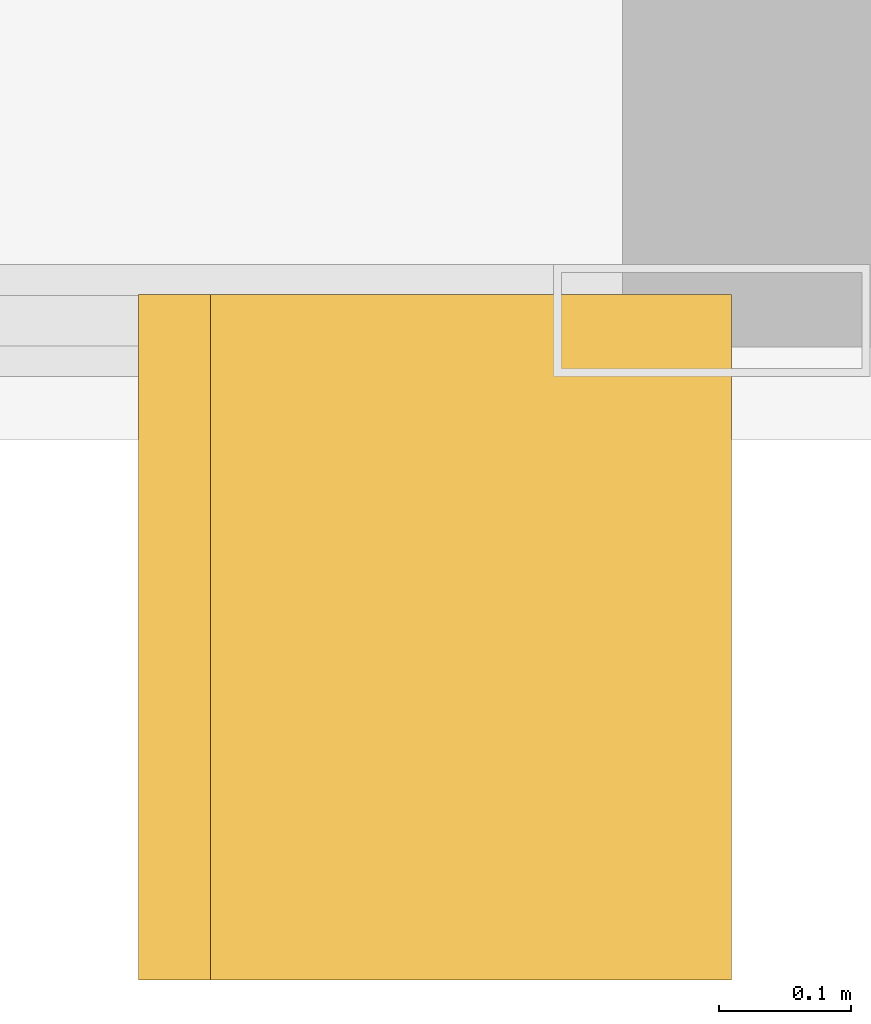
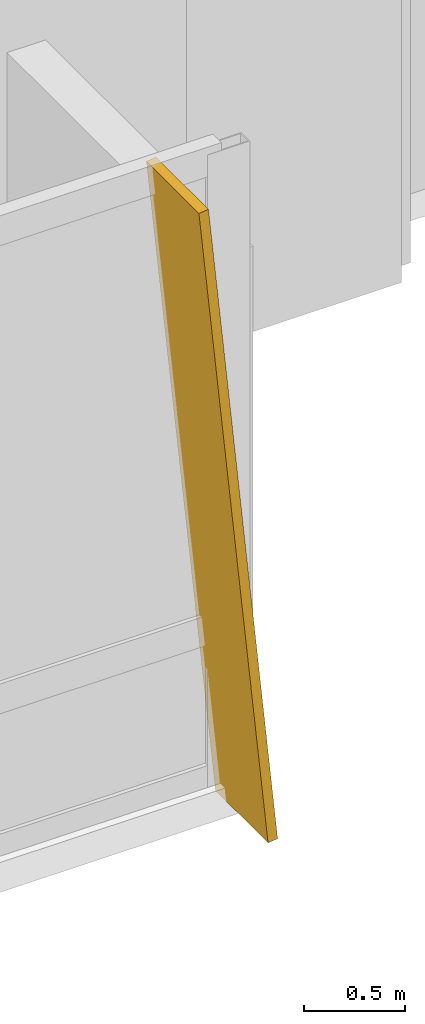
# One storey, part 35 of 35: 1 shading device.
"""IFC4 building model written with IfcOpenShell, lengths in metres."""

import ifcopenshell
import ifcopenshell.guid

model = None  # the IFC model being written
_history = None  # IfcOwnerHistory: only IFC2X3 demands one
_inside = {}  # id of a spatial element -> (the spatial element, [elements in it])
_under = {}  # id of a project, library or spatial element -> (it, [spatial elements below it])
_declared = {}  # id of a project -> (the project, [libraries it declares])
_typed = {}  # id of a type object -> (the type object, [elements of that type])
_made_of = {}  # id of a material, layer set ... -> (it, [elements and type objects made of it])


def new_model(schema):
    """Start an empty IFC model of exactly this schema.

    Asked for "IFC4X3", IfcOpenShell would pick the latest addendum, in which some entities
    have other attributes; the version numbers below select the first issue.
    IFC2X3 requires an IfcOwnerHistory on every rooted entity: one is made here for all.
    """
    global model, _history
    if schema == "IFC4X3":
        model = ifcopenshell.file(schema_version=(4, 3, 0, 0))
    else:
        model = ifcopenshell.file(schema=schema)
    _inside.clear()
    _under.clear()
    _declared.clear()
    _typed.clear()
    _made_of.clear()
    _history = None
    if model.schema == "IFC2X3":
        org = make("IfcOrganization", Name="unknown")
        user = make(
            "IfcPersonAndOrganization",
            ThePerson=make("IfcPerson", FamilyName="unknown"),
            TheOrganization=org,
        )
        app = make(
            "IfcApplication",
            ApplicationDeveloper=org,
            Version="unknown",
            ApplicationFullName="unknown",
            ApplicationIdentifier="unknown",
        )
        _history = make(
            "IfcOwnerHistory",
            OwningUser=user,
            OwningApplication=app,
            ChangeAction="ADDED",
            CreationDate=0,
        )
    return model


def make(cls, **values):
    """One entity of the class cls with the attributes given. An attribute that is None is left unset."""
    return model.create_entity(
        cls, **{name: value for name, value in values.items() if value is not None}
    )


def rooted(cls, **values):
    """An entity with a GlobalId (a new one), such as an element, a storey or a relation."""
    return make(cls, GlobalId=ifcopenshell.guid.new(), OwnerHistory=_history, **values)


def si_unit(unit_type, name, prefix=None):
    """IfcSIUnit, for example si_unit("LENGTHUNIT", "METRE", prefix="MILLI")."""
    return make("IfcSIUnit", UnitType=unit_type, Prefix=prefix, Name=name)


def assignment(units):
    """IfcUnitAssignment: the units of a project."""
    return None if units is None else make("IfcUnitAssignment", Units=units)


def point(xyz):
    """IfcCartesianPoint."""
    return None if xyz is None else make("IfcCartesianPoint", Coordinates=xyz)


def direction(xyz):
    """IfcDirection."""
    return None if xyz is None else make("IfcDirection", DirectionRatios=xyz)


def frame(location, z_axis=None, x_axis=None):
    """IfcAxis2Placement3D, a coordinate frame: its origin and axes. An axis left out is left unset."""
    return make(
        "IfcAxis2Placement3D",
        Location=point(location),
        Axis=direction(z_axis),
        RefDirection=direction(x_axis),
    )


def origin():
    """The frame at (0, 0, 0) with its axes left unset."""
    return frame((0.0, 0.0, 0.0))


def place(relative_to, where):
    """IfcLocalPlacement: puts the frame where relative to a parent placement (None: the world)."""
    return make(
        "IfcLocalPlacement", PlacementRelTo=relative_to, RelativePlacement=where
    )


def context(
    kind, dimensions, precision=None, world=None, true_north=None, identifier=None
):
    """IfcGeometricRepresentationContext, for example the 3D "Model" context."""
    return make(
        "IfcGeometricRepresentationContext",
        ContextIdentifier=identifier,
        ContextType=kind,
        CoordinateSpaceDimension=dimensions,
        Precision=precision,
        WorldCoordinateSystem=world,
        TrueNorth=true_north,
    )


def subcontext(parent, identifier, kind, view, scale=None):
    """IfcGeometricRepresentationSubContext, for example "Body" below "Model"."""
    return make(
        "IfcGeometricRepresentationSubContext",
        ContextIdentifier=identifier,
        ContextType=kind,
        ParentContext=parent,
        TargetScale=scale,
        TargetView=view,
    )


def project(units=None, contexts=None):
    """IfcProject with its units and contexts."""
    return rooted(
        "IfcProject",
        Name="project",
        RepresentationContexts=contexts,
        UnitsInContext=assignment(units),
    )


def spatial(cls, under=None, at=None, **own):
    """A site, building, storey or space (cls), placed at a placement, below another one or the project."""
    s = rooted(cls, ObjectPlacement=at, **own)
    if under is not None:
        _under.setdefault(under.id(), (under, []))[1].append(s)
    return s


def polyline(points):
    """IfcPolyline through the points."""
    return make("IfcPolyline", Points=[point(p) for p in points])


def outline(outer, holes=None, kind="AREA"):
    """IfcArbitraryClosedProfileDef: a profile drawn as a closed curve; with holes, ...WithVoids."""
    if holes is None:
        return make("IfcArbitraryClosedProfileDef", ProfileType=kind, OuterCurve=outer)
    return make(
        "IfcArbitraryProfileDefWithVoids",
        ProfileType=kind,
        OuterCurve=outer,
        InnerCurves=holes,
    )


def extrude(swept, where, along, depth):
    """IfcExtrudedAreaSolid: the profile swept, set in the frame where, extruded along a direction by depth."""
    return make(
        "IfcExtrudedAreaSolid",
        SweptArea=swept,
        Position=where,
        ExtrudedDirection=direction(along),
        Depth=depth,
    )


def shape(context_of_items, identifier, shape_type, items):
    """IfcShapeRepresentation: the items that make up one representation, for example the "Body"."""
    return make(
        "IfcShapeRepresentation",
        ContextOfItems=context_of_items,
        RepresentationIdentifier=identifier,
        RepresentationType=shape_type,
        Items=items,
    )


def material(Name=None, Category=None):
    """IfcMaterial."""
    return make("IfcMaterial", Name=Name, Category=Category)


def layer(
    of_material, thickness, ventilated=None, Name=None, Category=None, Priority=None
):
    """IfcMaterialLayer: one layer of a wall or slab, of a material (None: an air gap)."""
    return make(
        "IfcMaterialLayer",
        Material=of_material,
        LayerThickness=thickness,
        IsVentilated=ventilated,
        Name=Name,
        Category=Category,
        Priority=Priority,
    )


def layer_set(layers, Name=None):
    """IfcMaterialLayerSet."""
    return make("IfcMaterialLayerSet", MaterialLayers=layers, LayerSetName=Name)


def made_of(thing, what):
    """Note that an element or type object is made of a material, layer set ...; save() writes the relation."""
    if what is not None:
        _made_of.setdefault(what.id(), (what, []))[1].append(thing)
    return thing


def type_object(cls, material=None, **own):
    """A type object (cls), such as IfcWallType, which elements share."""
    return made_of(rooted(cls, **own), material)


def element(
    cls,
    number,
    at=None,
    inside=None,
    cuts=None,
    type_object=None,
    material=None,
    context=None,
    identifier="Body",
    shape_type=None,
    held_by="IfcProductDefinitionShape",
    body=None,
    shapes=None,
    **own,
):
    """One element of the class cls, such as IfcWall. Its Tag is "e" and its number.

    at: its placement. inside: the storey or other place that contains it. cuts: it is an
    opening in that element (IfcRelVoidsElement). A single representation is given by context,
    identifier, shape_type and body (its items); several are given by shapes. held_by: the class
    of the entity that holds the representations. save() writes the other relations.
    """
    e = rooted(cls, Tag="e%d" % number, ObjectPlacement=at, **own)
    if body is not None:
        shapes = [shape(context, identifier, shape_type, body)]
    if shapes is not None:
        e.Representation = make(held_by, Representations=shapes)
    if inside is not None:
        _inside.setdefault(inside.id(), (inside, []))[1].append(e)
    if cuts is not None:
        rooted(
            "IfcRelVoidsElement", RelatingBuildingElement=cuts, RelatedOpeningElement=e
        )
    if type_object is not None:
        _typed.setdefault(type_object.id(), (type_object, []))[1].append(e)
    return made_of(e, material)


def aggregate(whole, parts):
    """IfcRelAggregates: a whole, such as a stair, and the parts it consists of."""
    return rooted("IfcRelAggregates", RelatingObject=whole, RelatedObjects=parts)


def save(model, path):
    """Write the relations noted so far, then the file.

    IfcRelAggregates (storeys below a building ...), IfcRelContainedInSpatialStructure (elements
    in a storey), IfcRelDefinesByType, IfcRelAssociatesMaterial and IfcRelDeclares: one each for
    every whole, place, type object, material and project.
    """
    for whole, parts in _under.values():
        aggregate(whole, parts)
    for where, things in _inside.values():
        rooted(
            "IfcRelContainedInSpatialStructure",
            RelatedElements=things,
            RelatingStructure=where,
        )
    for kind, things in _typed.values():
        rooted("IfcRelDefinesByType", RelatedObjects=things, RelatingType=kind)
    for what, things in _made_of.values():
        rooted("IfcRelAssociatesMaterial", RelatedObjects=things, RelatingMaterial=what)
    for by, libraries in _declared.values():
        rooted("IfcRelDeclares", RelatingContext=by, RelatedDefinitions=libraries)
    model.write(path)


model = new_model("IFC4")

# Units and contexts
model_context = context("Model", 3, precision=1e-05, world=origin(), true_north=direction((0.0, 1.0)))
body_context = subcontext(model_context, "Body", "Model", "MODEL_VIEW")
ifc_project = project(units=[si_unit("LENGTHUNIT", "METRE"), si_unit("AREAUNIT", "SQUARE_METRE"), si_unit("VOLUMEUNIT", "CUBIC_METRE"), si_unit("PLANEANGLEUNIT", "RADIAN"), si_unit("MASSUNIT", "GRAM", prefix="KILO")], contexts=[model_context])

# Site, building, storey
site_placement = place(None, origin())
site = spatial("IfcSite", under=ifc_project, at=site_placement, CompositionType="ELEMENT")
building_placement = place(site_placement, origin())
building = spatial("IfcBuilding", under=site, at=building_placement, Name="Khoronbel Lancet Exchange", CompositionType="ELEMENT")
storey_placement = place(building_placement, frame((0.0, 0.0, 37.800048828125)))
storey = spatial("IfcBuildingStorey", under=building, at=storey_placement, Name="L08", CompositionType="ELEMENT", Elevation=37.800048828125)

# Shading device
ifc_material = material(Name="Bronze-Anodised Aluminium 6063-T6", Category="aluminium")
ifc_layer = layer(ifc_material, 0.054931640625, Name="Bronze-Anodised Aluminium 6063-T6")
ifc_layer_set = layer_set([ifc_layer], Name="Bronze-Anodised Aluminium 6063-T6")
shading_device_type = type_object("IfcShadingDeviceType", Name="SHD-FIN1", PredefinedType="USERDEFINED", material=ifc_layer_set)
shading_device_placement = place(storey_placement, frame((67.9326171875, 7.31005859375, -0.080078125), z_axis=(0.995011517869, 0.0, 0.099760108806), x_axis=(0.0, -1.0, 0.0)))
element("IfcShadingDevice", 1, at=shading_device_placement, inside=storey, type_object=shading_device_type, Name="Slanted bronze solar fin CW-L08-SEV-1", ObjectType="FIN", PredefinedType="USERDEFINED", context=body_context, shape_type="SweptSolid", body=[
    extrude(outline(polyline([(0.0, 0.0), (0.52001953125, 0.0), (0.52001953125, -3.959716796875), (0.0, -3.959716796875), (0.0, 0.0)])), origin(), (0.0, 0.0, -1.0), 0.054931640625),
])

save(model, "model.ifc")
